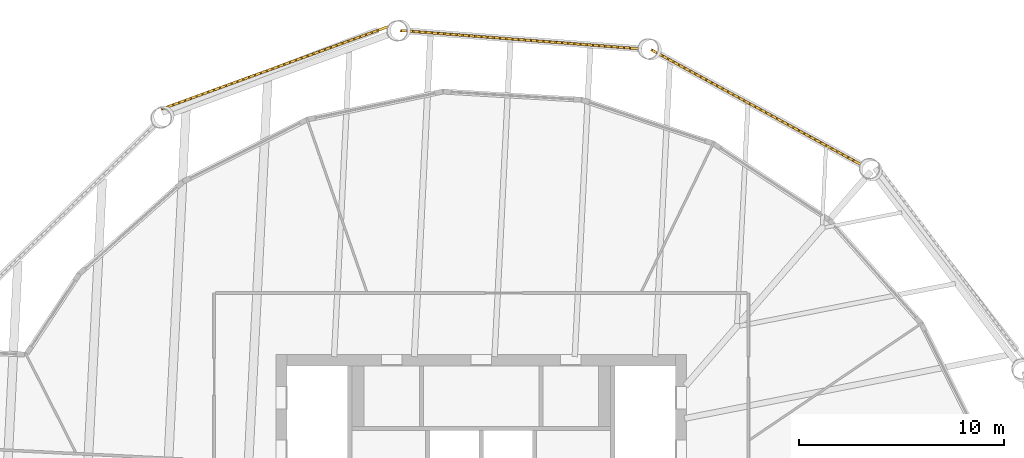
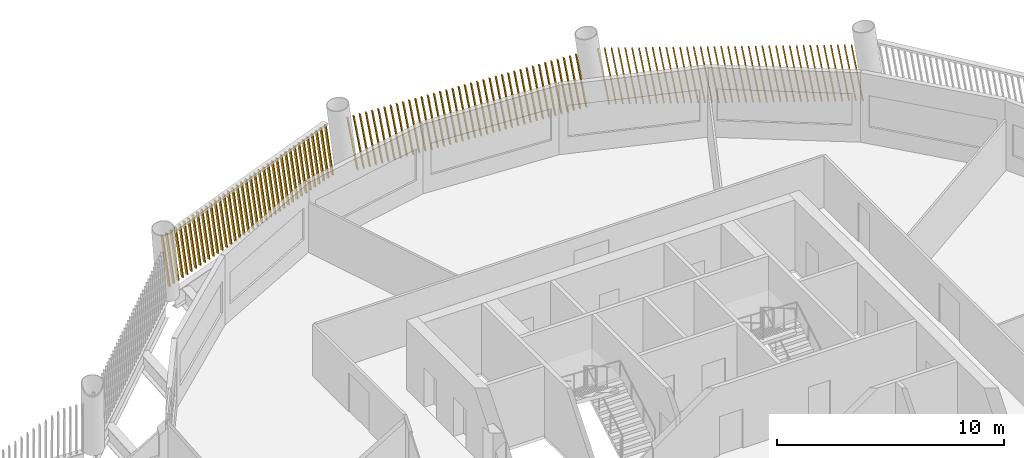
# One storey, part 13 of 14: 3 shading devices.
"""IFC4 building model written with IfcOpenShell, lengths in metres."""

from ifc_helpers import new_model, si_unit, direction, frame, frame_2d, origin, place, context, subcontext, project, spatial, rectangle, composite_profile, extrude, material, type_object, element, save


model = new_model("IFC4")

# Units and contexts
model_context = context("Model", 3, precision=1e-05, world=origin(), true_north=direction((0.0, 1.0)))
body_context = subcontext(model_context, "Body", "Model", "MODEL_VIEW")
ifc_project = project(units=[si_unit("LENGTHUNIT", "METRE"), si_unit("AREAUNIT", "SQUARE_METRE"), si_unit("VOLUMEUNIT", "CUBIC_METRE"), si_unit("PLANEANGLEUNIT", "RADIAN"), si_unit("MASSUNIT", "GRAM", prefix="KILO")], contexts=[model_context])

# Site, building, storey
site_placement = place(None, origin())
site = spatial("IfcSite", under=ifc_project, at=site_placement, CompositionType="ELEMENT")
building_placement = place(site_placement, origin())
building = spatial("IfcBuilding", under=site, at=building_placement, Name="Tarsis Ring Headquarters", CompositionType="ELEMENT")
storey_placement = place(building_placement, frame((0.0, 0.0, 274.699951171875)))
storey = spatial("IfcBuildingStorey", under=building, at=storey_placement, Name="L64", CompositionType="ELEMENT", Elevation=274.699951171875)

# Shading devices
ifc_material = material(Name="Terracotta baguette", Category="masonry")
shading_device_type = type_object("IfcShadingDeviceType", Name="Terracotta baguette screen", PredefinedType="USERDEFINED", material=ifc_material)
shading_device_1_placement = place(storey_placement, frame((18.572998046875, 22.203125, 0.0), z_axis=(0.0, 0.0, 1.0), x_axis=(-0.877069994574, 0.480368963646, 0.0)))
element("IfcShadingDevice", 1, at=shading_device_1_placement, inside=storey, type_object=shading_device_type, Name="Baguette screen L64-11", ObjectType="Terracotta baguette screen", PredefinedType="USERDEFINED", context=body_context, shape_type="SweptSolid", body=[
    extrude(composite_profile([rectangle(XDim=0.06005859375, YDim=0.1201171875, at=frame_2d((0.030029296875, 0.0))), rectangle(XDim=0.06005859375, YDim=0.1201171875, at=frame_2d((0.33251953125, 0.0))), rectangle(XDim=0.06005859375, YDim=0.1201171875, at=frame_2d((0.634765625, 0.0))), rectangle(XDim=0.06005859375, YDim=0.1201171875, at=frame_2d((0.937255859375, 0.0))), rectangle(XDim=0.06005859375, YDim=0.1201171875, at=frame_2d((1.239501953125, 0.0))), rectangle(XDim=0.06005859375, YDim=0.1201171875, at=frame_2d((1.5419921875, 0.0))), rectangle(XDim=0.06005859375, YDim=0.1201171875, at=frame_2d((1.844482421875, 0.0))), rectangle(XDim=0.06005859375, YDim=0.1201171875, at=frame_2d((2.146728515625, 0.0))), rectangle(XDim=0.06005859375, YDim=0.1201171875, at=frame_2d((2.44921875, 0.0))), rectangle(XDim=0.06005859375, YDim=0.1201171875, at=frame_2d((2.751708984375, 0.0))), rectangle(XDim=0.06005859375, YDim=0.1201171875, at=frame_2d((3.053955078125, 0.0))), rectangle(XDim=0.06005859375, YDim=0.1201171875, at=frame_2d((3.3564453125, 0.0))), rectangle(XDim=0.06005859375, YDim=0.1201171875, at=frame_2d((3.65869140625, 0.0))), rectangle(XDim=0.06005859375, YDim=0.1201171875, at=frame_2d((3.961181640625, 0.0))), rectangle(XDim=0.06005859375, YDim=0.1201171875, at=frame_2d((4.263671875, 0.0))), rectangle(XDim=0.06005859375, YDim=0.1201171875, at=frame_2d((4.56591796875, 0.0))), rectangle(XDim=0.06005859375, YDim=0.1201171875, at=frame_2d((4.868408203125, 0.0))), rectangle(XDim=0.06005859375, YDim=0.1201171875, at=frame_2d((5.1708984375, 0.0))), rectangle(XDim=0.06005859375, YDim=0.1201171875, at=frame_2d((5.47314453125, 0.0))), rectangle(XDim=0.06005859375, YDim=0.1201171875, at=frame_2d((5.775634765625, 0.0))), rectangle(XDim=0.06005859375, YDim=0.1201171875, at=frame_2d((6.077880859375, 0.0))), rectangle(XDim=0.06005859375, YDim=0.1201171875, at=frame_2d((6.38037109375, 0.0))), rectangle(XDim=0.06005859375, YDim=0.1201171875, at=frame_2d((6.682861328125, 0.0))), rectangle(XDim=0.06005859375, YDim=0.1201171875, at=frame_2d((6.985107421875, 0.0))), rectangle(XDim=0.06005859375, YDim=0.1201171875, at=frame_2d((7.28759765625, 0.0))), rectangle(XDim=0.06005859375, YDim=0.1201171875, at=frame_2d((7.590087890625, 0.0))), rectangle(XDim=0.06005859375, YDim=0.1201171875, at=frame_2d((7.892333984375, 0.0))), rectangle(XDim=0.06005859375, YDim=0.1201171875, at=frame_2d((8.19482421875, 0.0))), rectangle(XDim=0.06005859375, YDim=0.1201171875, at=frame_2d((8.4970703125, 0.0))), rectangle(XDim=0.06005859375, YDim=0.1201171875, at=frame_2d((8.799560546875, 0.0))), rectangle(XDim=0.06005859375, YDim=0.1201171875, at=frame_2d((9.10205078125, 0.0))), rectangle(XDim=0.06005859375, YDim=0.1201171875, at=frame_2d((9.404296875, 0.0))), rectangle(XDim=0.06005859375, YDim=0.1201171875, at=frame_2d((9.706787109375, 0.0))), rectangle(XDim=0.06005859375, YDim=0.1201171875, at=frame_2d((10.00927734375, 0.0))), rectangle(XDim=0.06005859375, YDim=0.1201171875, at=frame_2d((10.3115234375, 0.0))), rectangle(XDim=0.06005859375, YDim=0.1201171875, at=frame_2d((10.614013671875, 0.0))), rectangle(XDim=0.06005859375, YDim=0.1201171875, at=frame_2d((10.916259765625, 0.0))), rectangle(XDim=0.06005859375, YDim=0.1201171875, at=frame_2d((11.21875, 0.0)))]), origin(), (0.164703676882, 0.001439501761, 0.986342043439), 3.0087890625),
])
shading_device_2_placement = place(storey_placement, frame((7.77001953125, 27.885009765625, 0.0), z_axis=(0.0, 0.0, 1.0), x_axis=(-0.997091761438, 0.07613508117, 0.0)))
element("IfcShadingDevice", 2, at=shading_device_2_placement, inside=storey, type_object=shading_device_type, Name="Baguette screen L64-12", ObjectType="Terracotta baguette screen", PredefinedType="USERDEFINED", context=body_context, shape_type="SweptSolid", body=[
    extrude(composite_profile([rectangle(XDim=0.06005859375, YDim=0.1201171875, at=frame_2d((0.030029296875, 0.0))), rectangle(XDim=0.06005859375, YDim=0.1201171875, at=frame_2d((0.33251953125, 0.0))), rectangle(XDim=0.06005859375, YDim=0.1201171875, at=frame_2d((0.634765625, 0.0))), rectangle(XDim=0.06005859375, YDim=0.1201171875, at=frame_2d((0.937255859375, 0.0))), rectangle(XDim=0.06005859375, YDim=0.1201171875, at=frame_2d((1.239501953125, 0.0))), rectangle(XDim=0.06005859375, YDim=0.1201171875, at=frame_2d((1.5419921875, 0.0))), rectangle(XDim=0.06005859375, YDim=0.1201171875, at=frame_2d((1.844482421875, 0.0))), rectangle(XDim=0.06005859375, YDim=0.1201171875, at=frame_2d((2.146728515625, 0.0))), rectangle(XDim=0.06005859375, YDim=0.1201171875, at=frame_2d((2.44921875, 0.0))), rectangle(XDim=0.06005859375, YDim=0.1201171875, at=frame_2d((2.751708984375, 0.0))), rectangle(XDim=0.06005859375, YDim=0.1201171875, at=frame_2d((3.053955078125, 0.0))), rectangle(XDim=0.06005859375, YDim=0.1201171875, at=frame_2d((3.3564453125, 0.0))), rectangle(XDim=0.06005859375, YDim=0.1201171875, at=frame_2d((3.65869140625, 0.0))), rectangle(XDim=0.06005859375, YDim=0.1201171875, at=frame_2d((3.961181640625, 0.0))), rectangle(XDim=0.06005859375, YDim=0.1201171875, at=frame_2d((4.263671875, 0.0))), rectangle(XDim=0.06005859375, YDim=0.1201171875, at=frame_2d((4.56591796875, 0.0))), rectangle(XDim=0.06005859375, YDim=0.1201171875, at=frame_2d((4.868408203125, 0.0))), rectangle(XDim=0.06005859375, YDim=0.1201171875, at=frame_2d((5.1708984375, 0.0))), rectangle(XDim=0.06005859375, YDim=0.1201171875, at=frame_2d((5.47314453125, 0.0))), rectangle(XDim=0.06005859375, YDim=0.1201171875, at=frame_2d((5.775634765625, 0.0))), rectangle(XDim=0.06005859375, YDim=0.1201171875, at=frame_2d((6.077880859375, 0.0))), rectangle(XDim=0.06005859375, YDim=0.1201171875, at=frame_2d((6.38037109375, 0.0))), rectangle(XDim=0.06005859375, YDim=0.1201171875, at=frame_2d((6.682861328125, 0.0))), rectangle(XDim=0.06005859375, YDim=0.1201171875, at=frame_2d((6.985107421875, 0.0))), rectangle(XDim=0.06005859375, YDim=0.1201171875, at=frame_2d((7.28759765625, 0.0))), rectangle(XDim=0.06005859375, YDim=0.1201171875, at=frame_2d((7.590087890625, 0.0))), rectangle(XDim=0.06005859375, YDim=0.1201171875, at=frame_2d((7.892333984375, 0.0))), rectangle(XDim=0.06005859375, YDim=0.1201171875, at=frame_2d((8.19482421875, 0.0))), rectangle(XDim=0.06005859375, YDim=0.1201171875, at=frame_2d((8.4970703125, 0.0))), rectangle(XDim=0.06005859375, YDim=0.1201171875, at=frame_2d((8.799560546875, 0.0))), rectangle(XDim=0.06005859375, YDim=0.1201171875, at=frame_2d((9.10205078125, 0.0))), rectangle(XDim=0.06005859375, YDim=0.1201171875, at=frame_2d((9.404296875, 0.0))), rectangle(XDim=0.06005859375, YDim=0.1201171875, at=frame_2d((9.706787109375, 0.0))), rectangle(XDim=0.06005859375, YDim=0.1201171875, at=frame_2d((10.00927734375, 0.0))), rectangle(XDim=0.06005859375, YDim=0.1201171875, at=frame_2d((10.3115234375, 0.0))), rectangle(XDim=0.06005859375, YDim=0.1201171875, at=frame_2d((10.614013671875, 0.0))), rectangle(XDim=0.06005859375, YDim=0.1201171875, at=frame_2d((10.916259765625, 0.0))), rectangle(XDim=0.06005859375, YDim=0.1201171875, at=frame_2d((11.21875, 0.0)))]), origin(), (0.16470252046, 0.00143811109, 0.986342238572), 3.0087890625),
])
shading_device_3_placement = place(storey_placement, frame((-4.54296875, 28.9609375, 0.0), z_axis=(0.0, 0.0, 1.0), x_axis=(-0.939837221921, -0.34161692892, 0.0)))
element("IfcShadingDevice", 3, at=shading_device_3_placement, inside=storey, type_object=shading_device_type, Name="Baguette screen L64-13", ObjectType="Terracotta baguette screen", PredefinedType="USERDEFINED", context=body_context, shape_type="SweptSolid", body=[
    extrude(composite_profile([rectangle(XDim=0.06005859375, YDim=0.1201171875, at=frame_2d((0.030029296875, 0.0))), rectangle(XDim=0.06005859375, YDim=0.1201171875, at=frame_2d((0.33251953125, 0.0))), rectangle(XDim=0.06005859375, YDim=0.1201171875, at=frame_2d((0.634765625, 0.0))), rectangle(XDim=0.06005859375, YDim=0.1201171875, at=frame_2d((0.937255859375, 0.0))), rectangle(XDim=0.06005859375, YDim=0.1201171875, at=frame_2d((1.239501953125, 0.0))), rectangle(XDim=0.06005859375, YDim=0.1201171875, at=frame_2d((1.5419921875, 0.0))), rectangle(XDim=0.06005859375, YDim=0.1201171875, at=frame_2d((1.844482421875, 0.0))), rectangle(XDim=0.06005859375, YDim=0.1201171875, at=frame_2d((2.146728515625, 0.0))), rectangle(XDim=0.06005859375, YDim=0.1201171875, at=frame_2d((2.44921875, 0.0))), rectangle(XDim=0.06005859375, YDim=0.1201171875, at=frame_2d((2.751708984375, 0.0))), rectangle(XDim=0.06005859375, YDim=0.1201171875, at=frame_2d((3.053955078125, 0.0))), rectangle(XDim=0.06005859375, YDim=0.1201171875, at=frame_2d((3.3564453125, 0.0))), rectangle(XDim=0.06005859375, YDim=0.1201171875, at=frame_2d((3.65869140625, 0.0))), rectangle(XDim=0.06005859375, YDim=0.1201171875, at=frame_2d((3.961181640625, 0.0))), rectangle(XDim=0.06005859375, YDim=0.1201171875, at=frame_2d((4.263671875, 0.0))), rectangle(XDim=0.06005859375, YDim=0.1201171875, at=frame_2d((4.56591796875, 0.0))), rectangle(XDim=0.06005859375, YDim=0.1201171875, at=frame_2d((4.868408203125, 0.0))), rectangle(XDim=0.06005859375, YDim=0.1201171875, at=frame_2d((5.1708984375, 0.0))), rectangle(XDim=0.06005859375, YDim=0.1201171875, at=frame_2d((5.47314453125, 0.0))), rectangle(XDim=0.06005859375, YDim=0.1201171875, at=frame_2d((5.775634765625, 0.0))), rectangle(XDim=0.06005859375, YDim=0.1201171875, at=frame_2d((6.077880859375, 0.0))), rectangle(XDim=0.06005859375, YDim=0.1201171875, at=frame_2d((6.38037109375, 0.0))), rectangle(XDim=0.06005859375, YDim=0.1201171875, at=frame_2d((6.682861328125, 0.0))), rectangle(XDim=0.06005859375, YDim=0.1201171875, at=frame_2d((6.985107421875, 0.0))), rectangle(XDim=0.06005859375, YDim=0.1201171875, at=frame_2d((7.28759765625, 0.0))), rectangle(XDim=0.06005859375, YDim=0.1201171875, at=frame_2d((7.590087890625, 0.0))), rectangle(XDim=0.06005859375, YDim=0.1201171875, at=frame_2d((7.892333984375, 0.0))), rectangle(XDim=0.06005859375, YDim=0.1201171875, at=frame_2d((8.19482421875, 0.0))), rectangle(XDim=0.06005859375, YDim=0.1201171875, at=frame_2d((8.4970703125, 0.0))), rectangle(XDim=0.06005859375, YDim=0.1201171875, at=frame_2d((8.799560546875, 0.0))), rectangle(XDim=0.06005859375, YDim=0.1201171875, at=frame_2d((9.10205078125, 0.0))), rectangle(XDim=0.06005859375, YDim=0.1201171875, at=frame_2d((9.404296875, 0.0))), rectangle(XDim=0.06005859375, YDim=0.1201171875, at=frame_2d((9.706787109375, 0.0))), rectangle(XDim=0.06005859375, YDim=0.1201171875, at=frame_2d((10.00927734375, 0.0))), rectangle(XDim=0.06005859375, YDim=0.1201171875, at=frame_2d((10.3115234375, 0.0))), rectangle(XDim=0.06005859375, YDim=0.1201171875, at=frame_2d((10.614013671875, 0.0))), rectangle(XDim=0.06005859375, YDim=0.1201171875, at=frame_2d((10.916259765625, 0.0))), rectangle(XDim=0.06005859375, YDim=0.1201171875, at=frame_2d((11.21875, 0.0)))]), origin(), (0.16681789223, 0.001458066219, 0.985986645384), 3.010009765625),
])

save(model, "model.ifc")
